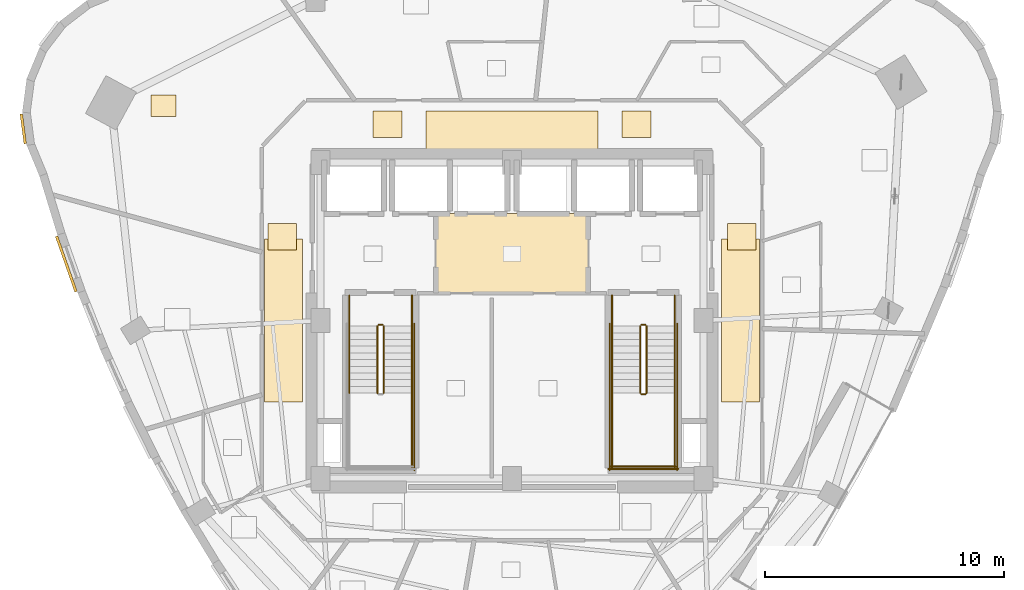
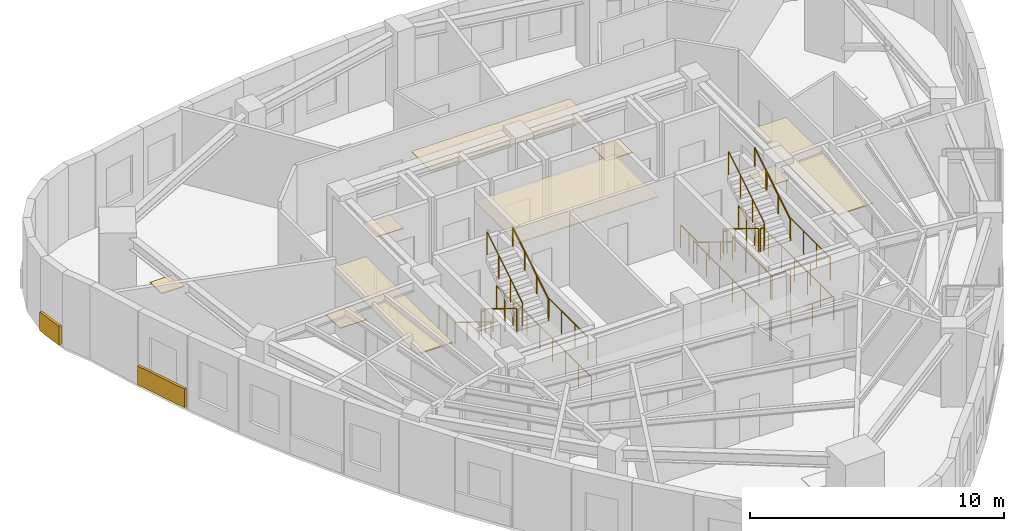
# One storey, part 11 of 12: 23 railings, 11 coverings.
"""IFC4 building model written with IfcOpenShell, lengths in metres."""

from ifc_helpers import new_model, si_unit, direction, frame, origin, origin_2d, place, context, subcontext, project, spatial, rectangle, circle, extrude, material, layer, layer_set, type_object, element, save


model = new_model("IFC4")

# Units and contexts
model_context = context("Model", 3, precision=1e-05, world=origin(), true_north=direction((0.0, 1.0)))
body_context = subcontext(model_context, "Body", "Model", "MODEL_VIEW")
ifc_project = project(units=[si_unit("LENGTHUNIT", "METRE"), si_unit("AREAUNIT", "SQUARE_METRE"), si_unit("VOLUMEUNIT", "CUBIC_METRE"), si_unit("PLANEANGLEUNIT", "RADIAN"), si_unit("MASSUNIT", "GRAM", prefix="KILO")], contexts=[model_context])

# Site, building, storey
site_placement = place(None, origin())
site = spatial("IfcSite", under=ifc_project, at=site_placement, CompositionType="ELEMENT")
building_placement = place(site_placement, origin())
building = spatial("IfcBuilding", under=site, at=building_placement, Name="Ndelora Gate Hotel", CompositionType="ELEMENT")
storey_placement = place(building_placement, frame((0.0, 0.0, 205.550048828125)))
storey = spatial("IfcBuildingStorey", under=building, at=storey_placement, Name="L51", CompositionType="ELEMENT", Elevation=205.550048828125)

# Coverings
ifc_material_1 = material(Name="Perforated Acoustic Gypsum Board", Category="gypsum")
ifc_layer_1 = layer(ifc_material_1, 0.054931640625)
ifc_layer_set_1 = layer_set([ifc_layer_1], Name="Perforated Acoustic Gypsum Board")
covering_type_1 = type_object("IfcCoveringType", Name="COV-CEIL-AC60", PredefinedType="CEILING", material=ifc_layer_set_1)
covering_1_placement = place(storey_placement, frame((0.0, 2.800048828125, 2.72265625), z_axis=(0.0, 0.0, 1.0), x_axis=(1.0, 0.0, 0.0)))
element("IfcCovering", 1, at=covering_1_placement, inside=storey, type_object=covering_type_1, Name="L51 Lift Lobby Acoustic Ceiling", PredefinedType="CEILING", context=body_context, shape_type="SweptSolid", body=[
    extrude(rectangle(XDim=6.39990234375, YDim=3.340087890625, at=origin_2d()), origin(), (0.0, 0.0, 1.0), 0.054931640625),
])
covering_2_placement = place(storey_placement, frame((0.0, 7.9599609375, 2.65234375), z_axis=(0.0, 0.0, 1.0), x_axis=(1.0, 0.0, 0.0)))
element("IfcCovering", 2, at=covering_2_placement, inside=storey, type_object=covering_type_1, Name="L51 Guest Corridor Acoustic Ceiling N", PredefinedType="CEILING", context=body_context, shape_type="SweptSolid", body=[
    extrude(rectangle(XDim=7.199951171875, YDim=1.580078125, at=origin_2d()), origin(), (0.0, 0.0, 1.0), 0.054931640625),
])
for number, where, z_axis, x_axis, name in (
    (3, (-9.550048828125, 0.0, 2.65234375), (0.0, 0.0, 1.0), (1.0, 0.0, 0.0), "L51 Guest Corridor Acoustic Ceiling W"),
    (4, (9.550048828125, 0.0, 2.65234375), (0.0, 0.0, 1.0), (1.0, 0.0, 0.0), "L51 Guest Corridor Acoustic Ceiling E"),
):
    element("IfcCovering", number, at=place(storey_placement, frame(where, z_axis=z_axis, x_axis=x_axis)), inside=storey, type_object=covering_type_1, Name=name, PredefinedType="CEILING", context=body_context, shape_type="SweptSolid", body=[
        extrude(rectangle(XDim=1.580078125, YDim=6.800048828125, at=origin_2d()), origin(), (0.0, 0.0, 1.0), 0.054931640625),
    ])
ifc_material_2 = material(Name="Terracotta Fired Clay Brick Slip Cladding", Category="masonry")
ifc_layer_2 = layer(ifc_material_2, 0.110107421875)
ifc_layer_set_2 = layer_set([ifc_layer_2], Name="Terracotta Fired Clay Brick Slip Cladding")
covering_type_2 = type_object("IfcCoveringType", Name="COV-CLAD-BRK", PredefinedType="CLADDING", material=ifc_layer_set_2)
covering_3_placement = place(storey_placement, frame((-20.42138671875, 8.0126953125, 0.10009765625), z_axis=(0.0, 0.0, 1.0), x_axis=(-0.13052619222, 0.991444861374, 0.0)))
element("IfcCovering", 5, at=covering_3_placement, inside=storey, type_object=covering_type_2, Name="L51 Rounded-Corner Brick Cladding Band 7", PredefinedType="CLADDING", context=body_context, shape_type="SweptSolid", body=[
    extrude(rectangle(XDim=1.257080078125, YDim=0.110107421875, at=origin_2d()), origin(), (0.0, 0.0, 1.0), 0.89990234375),
])
covering_4_placement = place(storey_placement, frame((-18.62451171875, 2.364990234375, 0.10009765625), z_axis=(0.0, 0.0, 1.0), x_axis=(-0.330679112019, 0.943743251565, 0.0)))
element("IfcCovering", 6, at=covering_4_placement, inside=storey, type_object=covering_type_2, Name="L51 Rounded-Corner Brick Cladding Band 10", PredefinedType="CLADDING", context=body_context, shape_type="SweptSolid", body=[
    extrude(rectangle(XDim=2.4599609375, YDim=0.110107421875, at=origin_2d()), origin(), (0.0, 0.0, 1.0), 0.89990234375),
])
ifc_material_3 = material(Name="Engineered Highland Oak Parquet", Category="wood")
ifc_layer_3 = layer(ifc_material_3, 0.030029296875)
ifc_layer_set_3 = layer_set([ifc_layer_3], Name="Engineered Highland Oak Parquet")
covering_type_3 = type_object("IfcCoveringType", Name="COV-FLR-PARQ", PredefinedType="FLOORING", material=ifc_layer_set_3)
covering_5_placement = place(storey_placement, frame((-14.556396484375, 8.970703125, 0.0), z_axis=(0.0, 0.0, 1.0), x_axis=(1.0, 0.0, 0.0)))
element("IfcCovering", 7, at=covering_5_placement, inside=storey, type_object=covering_type_3, Name="L51 Private Banquet Dining Room Oak Parquet Flooring", PredefinedType="FLOORING", context=body_context, shape_type="SweptSolid", body=[
    extrude(rectangle(XDim=1.050048828125, YDim=0.89990234375, at=origin_2d()), origin(), (0.0, 0.0, 1.0), 0.030029296875),
])
ifc_material_4 = material(Name="Polished Highland Stone Terrazzo", Category="masonry")
ifc_layer_4 = layer(ifc_material_4, 0.034912109375)
ifc_layer_set_4 = layer_set([ifc_layer_4], Name="Polished Highland Stone Terrazzo")
covering_type_4 = type_object("IfcCoveringType", Name="COV-FLR-TERZ", PredefinedType="FLOORING", material=ifc_layer_set_4)
for number, where, z_axis, x_axis, name in (
    (8, (-5.199951171875, 8.199951171875, 0.0), (0.0, 0.0, 1.0), (1.0, 0.0, 0.0), "L51 Corridor Threshold Terrazzo Inlay NW"),
    (9, (5.199951171875, 8.199951171875, 0.0), (0.0, 0.0, 1.0), (1.0, 0.0, 0.0), "L51 Corridor Threshold Terrazzo Inlay NE"),
    (10, (-9.60009765625, 3.5, 0.0), (0.0, 0.0, 1.0), (1.0, 0.0, 0.0), "L51 Corridor Threshold Terrazzo Inlay W"),
    (11, (9.60009765625, 3.5, 0.0), (0.0, 0.0, 1.0), (1.0, 0.0, 0.0), "L51 Corridor Threshold Terrazzo Inlay E"),
):
    element("IfcCovering", number, at=place(storey_placement, frame(where, z_axis=z_axis, x_axis=x_axis)), inside=storey, type_object=covering_type_4, Name=name, PredefinedType="FLOORING", context=body_context, shape_type="SweptSolid", body=[
        extrude(rectangle(XDim=1.199951171875, YDim=1.10009765625, at=origin_2d()), origin(), (0.0, 0.0, 1.0), 0.034912109375),
    ])

# Railings
ifc_material_5 = material(Name="Painted Galvanized Steel Balustrade", Category="steel")
ifc_layer_5 = layer(ifc_material_5, 0.06005859375)
ifc_layer_set_5 = layer_set([ifc_layer_5], Name="Painted Galvanized Steel Balustrade")
railing_type_1 = type_object("IfcRailingType", Name="RL-STAIR-GD", PredefinedType="GUARDRAIL", material=ifc_layer_set_5)
railing_1_placement = place(storey_placement, frame((-5.6201171875, -0.22998046875, 0.172607421875)))
element("IfcRailing", 12, at=railing_1_placement, inside=storey, type_object=railing_type_1, Name="L51 ST4 stair guard 1", PredefinedType="GUARDRAIL", context=body_context, shape_type="SweptSolid", body=[
    extrude(circle(Radius=0.02392578125, at=origin_2d()), frame((0.0, 0.0, 1.10595703125), z_axis=(0.0, -0.851089632645, 0.525020415988), x_axis=(1.0, 0.0, 0.0)), (0.0, 0.0, 1.0), 3.2900390625),
    extrude(circle(Radius=0.02099609375, at=origin_2d()), origin(), (0.0, 0.0, 1.0), 1.081787109375),
    extrude(circle(Radius=0.02099609375, at=origin_2d()), frame((0.0, -0.933349609375, 0.57568359375)), (0.0, 0.0, 1.0), 1.081787109375),
    extrude(circle(Radius=0.02099609375, at=origin_2d()), frame((0.0, -1.86669921875, 1.151611328125)), (0.0, 0.0, 1.0), 1.081787109375),
    extrude(circle(Radius=0.02099609375, at=origin_2d()), frame((0.0, -2.800048828125, 1.727294921875)), (0.0, 0.0, 1.0), 1.081787109375),
])
railing_2_placement = place(storey_placement, frame((-4.179931640625, -3.030029296875, 1.89990234375)))
element("IfcRailing", 13, at=railing_2_placement, inside=storey, type_object=railing_type_1, Name="L51 ST4 stair guard 4", PredefinedType="GUARDRAIL", context=body_context, shape_type="SweptSolid", body=[
    extrude(circle(Radius=0.02392578125, at=origin_2d()), frame((0.0, 0.0, 1.10595703125), z_axis=(0.0, -1.0, 0.0), x_axis=(1.0, 0.0, 0.0)), (0.0, 0.0, 1.0), 3.119873046875),
    extrude(circle(Radius=0.02099609375, at=origin_2d()), origin(), (0.0, 0.0, 1.0), 1.081787109375),
    extrude(circle(Radius=0.02099609375, at=origin_2d()), frame((0.0, -1.0400390625, 0.0)), (0.0, 0.0, 1.0), 1.081787109375),
    extrude(circle(Radius=0.02099609375, at=origin_2d()), frame((0.0, -2.079833984375, 0.0)), (0.0, 0.0, 1.0), 1.081787109375),
    extrude(circle(Radius=0.02099609375, at=origin_2d()), frame((0.0, -3.119873046875, 0.0)), (0.0, 0.0, 1.0), 1.081787109375),
])
railing_3_placement = place(storey_placement, frame((-5.360107421875, -3.030029296875, 2.07275390625)))
element("IfcRailing", 14, at=railing_3_placement, inside=storey, type_object=railing_type_1, Name="L51 ST4 stair guard 6", PredefinedType="GUARDRAIL", context=body_context, shape_type="SweptSolid", body=[
    extrude(circle(Radius=0.02392578125, at=origin_2d()), frame((0.0, 0.0, 1.10595703125), z_axis=(0.0, 0.851089632645, 0.525020415988), x_axis=(-1.0, 0.0, 0.0)), (0.0, 0.0, 1.0), 3.2900390625),
    extrude(circle(Radius=0.02099609375, at=origin_2d()), origin(), (0.0, 0.0, 1.0), 1.081787109375),
    extrude(circle(Radius=0.02099609375, at=origin_2d()), frame((0.0, 0.933349609375, 0.57568359375)), (0.0, 0.0, 1.0), 1.081787109375),
    extrude(circle(Radius=0.02099609375, at=origin_2d()), frame((0.0, 1.86669921875, 1.151611328125)), (0.0, 0.0, 1.0), 1.081787109375),
    extrude(circle(Radius=0.02099609375, at=origin_2d()), frame((0.0, 2.800048828125, 1.727294921875)), (0.0, 0.0, 1.0), 1.081787109375),
])
railing_4_placement = place(storey_placement, frame((-5.570068359375, -0.179931640625, 0.0)))
element("IfcRailing", 15, at=railing_4_placement, inside=storey, type_object=railing_type_1, Name="L51 ST4 stair guard 7", PredefinedType="GUARDRAIL", context=body_context, shape_type="SweptSolid", body=[
    extrude(circle(Radius=0.02392578125, at=origin_2d()), frame((0.0, 0.0, 1.10595703125), z_axis=(1.0, 0.0, 0.0), x_axis=(0.0, 1.0, 0.0)), (0.0, 0.0, 1.0), 0.16015625),
    extrude(circle(Radius=0.02099609375, at=origin_2d()), origin(), (0.0, 0.0, 1.0), 1.081787109375),
    extrude(circle(Radius=0.02099609375, at=origin_2d()), frame((0.16015625, 0.0, 0.0)), (0.0, 0.0, 1.0), 1.081787109375),
])
for number, where, name in (
    (16, (-6.800048828125, 1.050048828125, 0.0), "L51 ST4 stair guard 8"),
    (17, (-4.179931640625, 1.050048828125, 0.0), "L51 ST4 stair guard 9"),
):
    element("IfcRailing", number, at=place(storey_placement, frame(where)), inside=storey, type_object=railing_type_1, Name=name, PredefinedType="GUARDRAIL", context=body_context, shape_type="SweptSolid", body=[
        extrude(circle(Radius=0.02392578125, at=origin_2d()), frame((0.0, 0.0, 1.10595703125), z_axis=(0.0, -1.0, 0.0), x_axis=(1.0, 0.0, 0.0)), (0.0, 0.0, 1.0), 1.280029296875),
        extrude(circle(Radius=0.02099609375, at=origin_2d()), origin(), (0.0, 0.0, 1.0), 1.081787109375),
        extrude(circle(Radius=0.02099609375, at=origin_2d()), frame((0.0, -0.64013671875, 0.0)), (0.0, 0.0, 1.0), 1.081787109375),
        extrude(circle(Radius=0.02099609375, at=origin_2d()), frame((0.0, -1.280029296875, 0.0)), (0.0, 0.0, 1.0), 1.081787109375),
    ])
railing_5_placement = place(storey_placement, frame((-4.080078125, -0.1298828125, 0.0)))
element("IfcRailing", 18, at=railing_5_placement, inside=storey, type_object=railing_type_1, Name="L51 ST4 stair guard 11", PredefinedType="GUARDRAIL", context=body_context, shape_type="SweptSolid", body=[
    extrude(circle(Radius=0.02392578125, at=origin_2d()), frame((0.0, 0.0, 1.10595703125), z_axis=(0.0, -1.0, 0.0), x_axis=(1.0, 0.0, 0.0)), (0.0, 0.0, 1.0), 6.1201171875),
    extrude(circle(Radius=0.02099609375, at=origin_2d()), origin(), (0.0, 0.0, 1.0), 1.081787109375),
    extrude(circle(Radius=0.02099609375, at=origin_2d()), frame((0.0, -1.02001953125, 0.0)), (0.0, 0.0, 1.0), 1.081787109375),
    extrude(circle(Radius=0.02099609375, at=origin_2d()), frame((0.0, -2.0400390625, 0.0)), (0.0, 0.0, 1.0), 1.081787109375),
    extrude(circle(Radius=0.02099609375, at=origin_2d()), frame((0.0, -3.06005859375, 0.0)), (0.0, 0.0, 1.0), 1.081787109375),
    extrude(circle(Radius=0.02099609375, at=origin_2d()), frame((0.0, -4.080078125, 0.0)), (0.0, 0.0, 1.0), 1.081787109375),
    extrude(circle(Radius=0.02099609375, at=origin_2d()), frame((0.0, -5.10009765625, 0.0)), (0.0, 0.0, 1.0), 1.081787109375),
    extrude(circle(Radius=0.02099609375, at=origin_2d()), frame((0.0, -6.1201171875, 0.0)), (0.0, 0.0, 1.0), 1.081787109375),
])
railing_6_placement = place(storey_placement, frame((5.360107421875, -0.22998046875, 0.172607421875)))
element("IfcRailing", 19, at=railing_6_placement, inside=storey, type_object=railing_type_1, Name="L51 ST5 stair guard 1", PredefinedType="GUARDRAIL", context=body_context, shape_type="SweptSolid", body=[
    extrude(circle(Radius=0.02392578125, at=origin_2d()), frame((0.0, 0.0, 1.10595703125), z_axis=(0.0, -0.851089632645, 0.525020415988), x_axis=(1.0, 0.0, 0.0)), (0.0, 0.0, 1.0), 3.2900390625),
    extrude(circle(Radius=0.02099609375, at=origin_2d()), origin(), (0.0, 0.0, 1.0), 1.081787109375),
    extrude(circle(Radius=0.02099609375, at=origin_2d()), frame((0.0, -0.933349609375, 0.57568359375)), (0.0, 0.0, 1.0), 1.081787109375),
    extrude(circle(Radius=0.02099609375, at=origin_2d()), frame((0.0, -1.86669921875, 1.151611328125)), (0.0, 0.0, 1.0), 1.081787109375),
    extrude(circle(Radius=0.02099609375, at=origin_2d()), frame((0.0, -2.800048828125, 1.727294921875)), (0.0, 0.0, 1.0), 1.081787109375),
])
railing_7_placement = place(storey_placement, frame((5.409912109375, -3.080078125, 1.89990234375)))
element("IfcRailing", 20, at=railing_7_placement, inside=storey, type_object=railing_type_1, Name="L51 ST5 stair guard 2", PredefinedType="GUARDRAIL", context=body_context, shape_type="SweptSolid", body=[
    extrude(circle(Radius=0.02392578125, at=origin_2d()), frame((0.0, 0.0, 1.10595703125), z_axis=(1.0, 0.0, 0.0), x_axis=(0.0, 1.0, 0.0)), (0.0, 0.0, 1.0), 0.16015625),
    extrude(circle(Radius=0.02099609375, at=origin_2d()), origin(), (0.0, 0.0, 1.0), 1.081787109375),
    extrude(circle(Radius=0.02099609375, at=origin_2d()), frame((0.16015625, 0.0, 0.0)), (0.0, 0.0, 1.0), 1.081787109375),
])
for number, where, name in (
    (21, (4.179931640625, -3.030029296875, 1.89990234375), "L51 ST5 stair guard 3"),
    (22, (6.800048828125, -3.030029296875, 1.89990234375), "L51 ST5 stair guard 4"),
):
    element("IfcRailing", number, at=place(storey_placement, frame(where)), inside=storey, type_object=railing_type_1, Name=name, PredefinedType="GUARDRAIL", context=body_context, shape_type="SweptSolid", body=[
        extrude(circle(Radius=0.02392578125, at=origin_2d()), frame((0.0, 0.0, 1.10595703125), z_axis=(0.0, -1.0, 0.0), x_axis=(1.0, 0.0, 0.0)), (0.0, 0.0, 1.0), 3.119873046875),
        extrude(circle(Radius=0.02099609375, at=origin_2d()), origin(), (0.0, 0.0, 1.0), 1.081787109375),
        extrude(circle(Radius=0.02099609375, at=origin_2d()), frame((0.0, -1.0400390625, 0.0)), (0.0, 0.0, 1.0), 1.081787109375),
        extrude(circle(Radius=0.02099609375, at=origin_2d()), frame((0.0, -2.079833984375, 0.0)), (0.0, 0.0, 1.0), 1.081787109375),
        extrude(circle(Radius=0.02099609375, at=origin_2d()), frame((0.0, -3.119873046875, 0.0)), (0.0, 0.0, 1.0), 1.081787109375),
    ])
railing_8_placement = place(storey_placement, frame((4.1298828125, -6.10009765625, 1.89990234375)))
element("IfcRailing", 23, at=railing_8_placement, inside=storey, type_object=railing_type_1, Name="L51 ST5 stair guard 5", PredefinedType="GUARDRAIL", context=body_context, shape_type="SweptSolid", body=[
    extrude(circle(Radius=0.02392578125, at=origin_2d()), frame((0.0, 0.0, 1.10595703125), z_axis=(1.0, 0.0, 0.0), x_axis=(0.0, 1.0, 0.0)), (0.0, 0.0, 1.0), 2.72021484375),
    extrude(circle(Radius=0.02099609375, at=origin_2d()), origin(), (0.0, 0.0, 1.0), 1.081787109375),
    extrude(circle(Radius=0.02099609375, at=origin_2d()), frame((0.90673828125, 0.0, 0.0)), (0.0, 0.0, 1.0), 1.081787109375),
    extrude(circle(Radius=0.02099609375, at=origin_2d()), frame((1.8134765625, 0.0, 0.0)), (0.0, 0.0, 1.0), 1.081787109375),
    extrude(circle(Radius=0.02099609375, at=origin_2d()), frame((2.72021484375, 0.0, 0.0)), (0.0, 0.0, 1.0), 1.081787109375),
])
railing_9_placement = place(storey_placement, frame((5.6201171875, -3.030029296875, 2.07275390625)))
element("IfcRailing", 24, at=railing_9_placement, inside=storey, type_object=railing_type_1, Name="L51 ST5 stair guard 6", PredefinedType="GUARDRAIL", context=body_context, shape_type="SweptSolid", body=[
    extrude(circle(Radius=0.02392578125, at=origin_2d()), frame((0.0, 0.0, 1.10595703125), z_axis=(0.0, 0.851089632645, 0.525020415988), x_axis=(-1.0, 0.0, 0.0)), (0.0, 0.0, 1.0), 3.2900390625),
    extrude(circle(Radius=0.02099609375, at=origin_2d()), origin(), (0.0, 0.0, 1.0), 1.081787109375),
    extrude(circle(Radius=0.02099609375, at=origin_2d()), frame((0.0, 0.933349609375, 0.57568359375)), (0.0, 0.0, 1.0), 1.081787109375),
    extrude(circle(Radius=0.02099609375, at=origin_2d()), frame((0.0, 1.86669921875, 1.151611328125)), (0.0, 0.0, 1.0), 1.081787109375),
    extrude(circle(Radius=0.02099609375, at=origin_2d()), frame((0.0, 2.800048828125, 1.727294921875)), (0.0, 0.0, 1.0), 1.081787109375),
])
railing_10_placement = place(storey_placement, frame((5.409912109375, -0.179931640625, 0.0)))
element("IfcRailing", 25, at=railing_10_placement, inside=storey, type_object=railing_type_1, Name="L51 ST5 stair guard 7", PredefinedType="GUARDRAIL", context=body_context, shape_type="SweptSolid", body=[
    extrude(circle(Radius=0.02392578125, at=origin_2d()), frame((0.0, 0.0, 1.10595703125), z_axis=(1.0, 0.0, 0.0), x_axis=(0.0, 1.0, 0.0)), (0.0, 0.0, 1.0), 0.16015625),
    extrude(circle(Radius=0.02099609375, at=origin_2d()), origin(), (0.0, 0.0, 1.0), 1.081787109375),
    extrude(circle(Radius=0.02099609375, at=origin_2d()), frame((0.16015625, 0.0, 0.0)), (0.0, 0.0, 1.0), 1.081787109375),
])
for number, where, name in (
    (26, (4.179931640625, 1.050048828125, 0.0), "L51 ST5 stair guard 8"),
    (27, (6.800048828125, 1.050048828125, 0.0), "L51 ST5 stair guard 9"),
):
    element("IfcRailing", number, at=place(storey_placement, frame(where)), inside=storey, type_object=railing_type_1, Name=name, PredefinedType="GUARDRAIL", context=body_context, shape_type="SweptSolid", body=[
        extrude(circle(Radius=0.02392578125, at=origin_2d()), frame((0.0, 0.0, 1.10595703125), z_axis=(0.0, -1.0, 0.0), x_axis=(1.0, 0.0, 0.0)), (0.0, 0.0, 1.0), 1.280029296875),
        extrude(circle(Radius=0.02099609375, at=origin_2d()), origin(), (0.0, 0.0, 1.0), 1.081787109375),
        extrude(circle(Radius=0.02099609375, at=origin_2d()), frame((0.0, -0.64013671875, 0.0)), (0.0, 0.0, 1.0), 1.081787109375),
        extrude(circle(Radius=0.02099609375, at=origin_2d()), frame((0.0, -1.280029296875, 0.0)), (0.0, 0.0, 1.0), 1.081787109375),
    ])
for number, where, name in (
    (28, (4.080078125, -0.1298828125, 0.0), "L51 ST5 stair guard 10"),
    (29, (6.89990234375, -0.1298828125, 0.0), "L51 ST5 stair guard 11"),
):
    element("IfcRailing", number, at=place(storey_placement, frame(where)), inside=storey, type_object=railing_type_1, Name=name, PredefinedType="GUARDRAIL", context=body_context, shape_type="SweptSolid", body=[
        extrude(circle(Radius=0.02392578125, at=origin_2d()), frame((0.0, 0.0, 1.10595703125), z_axis=(0.0, -1.0, 0.0), x_axis=(1.0, 0.0, 0.0)), (0.0, 0.0, 1.0), 6.1201171875),
        extrude(circle(Radius=0.02099609375, at=origin_2d()), origin(), (0.0, 0.0, 1.0), 1.081787109375),
        extrude(circle(Radius=0.02099609375, at=origin_2d()), frame((0.0, -1.02001953125, 0.0)), (0.0, 0.0, 1.0), 1.081787109375),
        extrude(circle(Radius=0.02099609375, at=origin_2d()), frame((0.0, -2.0400390625, 0.0)), (0.0, 0.0, 1.0), 1.081787109375),
        extrude(circle(Radius=0.02099609375, at=origin_2d()), frame((0.0, -3.06005859375, 0.0)), (0.0, 0.0, 1.0), 1.081787109375),
        extrude(circle(Radius=0.02099609375, at=origin_2d()), frame((0.0, -4.080078125, 0.0)), (0.0, 0.0, 1.0), 1.081787109375),
        extrude(circle(Radius=0.02099609375, at=origin_2d()), frame((0.0, -5.10009765625, 0.0)), (0.0, 0.0, 1.0), 1.081787109375),
        extrude(circle(Radius=0.02099609375, at=origin_2d()), frame((0.0, -6.1201171875, 0.0)), (0.0, 0.0, 1.0), 1.081787109375),
    ])
railing_11_placement = place(storey_placement, frame((4.030029296875, -6.199951171875, 0.0)))
element("IfcRailing", 30, at=railing_11_placement, inside=storey, type_object=railing_type_1, Name="L51 ST5 stair guard 12", PredefinedType="GUARDRAIL", context=body_context, shape_type="SweptSolid", body=[
    extrude(circle(Radius=0.02392578125, at=origin_2d()), frame((0.0, 0.0, 1.10595703125), z_axis=(1.0, 0.0, 0.0), x_axis=(0.0, 1.0, 0.0)), (0.0, 0.0, 1.0), 2.919921875),
    extrude(circle(Radius=0.02099609375, at=origin_2d()), origin(), (0.0, 0.0, 1.0), 1.081787109375),
    extrude(circle(Radius=0.02099609375, at=origin_2d()), frame((0.973388671875, 0.0, 0.0)), (0.0, 0.0, 1.0), 1.081787109375),
    extrude(circle(Radius=0.02099609375, at=origin_2d()), frame((1.946533203125, 0.0, 0.0)), (0.0, 0.0, 1.0), 1.081787109375),
    extrude(circle(Radius=0.02099609375, at=origin_2d()), frame((2.919921875, 0.0, 0.0)), (0.0, 0.0, 1.0), 1.081787109375),
])
ifc_material_6 = material(Name="Brushed Stainless Steel 316", Category="steel")
ifc_layer_6 = layer(ifc_material_6, 0.050048828125)
ifc_layer_set_6 = layer_set([ifc_layer_6], Name="Brushed Stainless Steel 316")
railing_type_2 = type_object("IfcRailingType", Name="RL-STAIR-HR", PredefinedType="HANDRAIL", material=ifc_layer_set_6)
railing_12_placement = place(storey_placement, frame((-6.800048828125, -0.22998046875, 0.172607421875)))
element("IfcRailing", 31, at=railing_12_placement, inside=storey, type_object=railing_type_2, Name="L51 ST4 stair handrail 1", PredefinedType="HANDRAIL", context=body_context, shape_type="SweptSolid", body=[
    extrude(circle(Radius=0.02392578125, at=origin_2d()), frame((0.0, 0.0, 0.8759765625), z_axis=(0.0, -0.851089632645, 0.525020415988), x_axis=(1.0, 0.0, 0.0)), (0.0, 0.0, 1.0), 3.2900390625),
    extrude(circle(Radius=0.02099609375, at=origin_2d()), origin(), (0.0, 0.0, 1.0), 0.851806640625),
    extrude(circle(Radius=0.02099609375, at=origin_2d()), frame((0.0, -0.933349609375, 0.57568359375)), (0.0, 0.0, 1.0), 0.851806640625),
    extrude(circle(Radius=0.02099609375, at=origin_2d()), frame((0.0, -1.86669921875, 1.151611328125)), (0.0, 0.0, 1.0), 0.851806640625),
    extrude(circle(Radius=0.02099609375, at=origin_2d()), frame((0.0, -2.800048828125, 1.727294921875)), (0.0, 0.0, 1.0), 0.851806640625),
])
railing_13_placement = place(storey_placement, frame((-4.179931640625, -3.030029296875, 2.07275390625)))
element("IfcRailing", 32, at=railing_13_placement, inside=storey, type_object=railing_type_2, Name="L51 ST4 stair handrail 2", PredefinedType="HANDRAIL", context=body_context, shape_type="SweptSolid", body=[
    extrude(circle(Radius=0.02392578125, at=origin_2d()), frame((0.0, 0.0, 0.8759765625), z_axis=(0.0, 0.851089632645, 0.525020415988), x_axis=(-1.0, 0.0, 0.0)), (0.0, 0.0, 1.0), 3.2900390625),
    extrude(circle(Radius=0.02099609375, at=origin_2d()), origin(), (0.0, 0.0, 1.0), 0.851806640625),
    extrude(circle(Radius=0.02099609375, at=origin_2d()), frame((0.0, 0.933349609375, 0.57568359375)), (0.0, 0.0, 1.0), 0.851806640625),
    extrude(circle(Radius=0.02099609375, at=origin_2d()), frame((0.0, 1.86669921875, 1.151611328125)), (0.0, 0.0, 1.0), 0.851806640625),
    extrude(circle(Radius=0.02099609375, at=origin_2d()), frame((0.0, 2.800048828125, 1.727294921875)), (0.0, 0.0, 1.0), 0.851806640625),
])
railing_14_placement = place(storey_placement, frame((4.179931640625, -0.22998046875, 0.172607421875)))
element("IfcRailing", 33, at=railing_14_placement, inside=storey, type_object=railing_type_2, Name="L51 ST5 stair handrail 1", PredefinedType="HANDRAIL", context=body_context, shape_type="SweptSolid", body=[
    extrude(circle(Radius=0.02392578125, at=origin_2d()), frame((0.0, 0.0, 0.8759765625), z_axis=(0.0, -0.851089632645, 0.525020415988), x_axis=(1.0, 0.0, 0.0)), (0.0, 0.0, 1.0), 3.2900390625),
    extrude(circle(Radius=0.02099609375, at=origin_2d()), origin(), (0.0, 0.0, 1.0), 0.851806640625),
    extrude(circle(Radius=0.02099609375, at=origin_2d()), frame((0.0, -0.933349609375, 0.57568359375)), (0.0, 0.0, 1.0), 0.851806640625),
    extrude(circle(Radius=0.02099609375, at=origin_2d()), frame((0.0, -1.86669921875, 1.151611328125)), (0.0, 0.0, 1.0), 0.851806640625),
    extrude(circle(Radius=0.02099609375, at=origin_2d()), frame((0.0, -2.800048828125, 1.727294921875)), (0.0, 0.0, 1.0), 0.851806640625),
])
railing_15_placement = place(storey_placement, frame((6.800048828125, -3.030029296875, 2.07275390625)))
element("IfcRailing", 34, at=railing_15_placement, inside=storey, type_object=railing_type_2, Name="L51 ST5 stair handrail 2", PredefinedType="HANDRAIL", context=body_context, shape_type="SweptSolid", body=[
    extrude(circle(Radius=0.02392578125, at=origin_2d()), frame((0.0, 0.0, 0.8759765625), z_axis=(0.0, 0.851089632645, 0.525020415988), x_axis=(-1.0, 0.0, 0.0)), (0.0, 0.0, 1.0), 3.2900390625),
    extrude(circle(Radius=0.02099609375, at=origin_2d()), origin(), (0.0, 0.0, 1.0), 0.851806640625),
    extrude(circle(Radius=0.02099609375, at=origin_2d()), frame((0.0, 0.933349609375, 0.57568359375)), (0.0, 0.0, 1.0), 0.851806640625),
    extrude(circle(Radius=0.02099609375, at=origin_2d()), frame((0.0, 1.86669921875, 1.151611328125)), (0.0, 0.0, 1.0), 0.851806640625),
    extrude(circle(Radius=0.02099609375, at=origin_2d()), frame((0.0, 2.800048828125, 1.727294921875)), (0.0, 0.0, 1.0), 0.851806640625),
])

save(model, "model.ifc")
